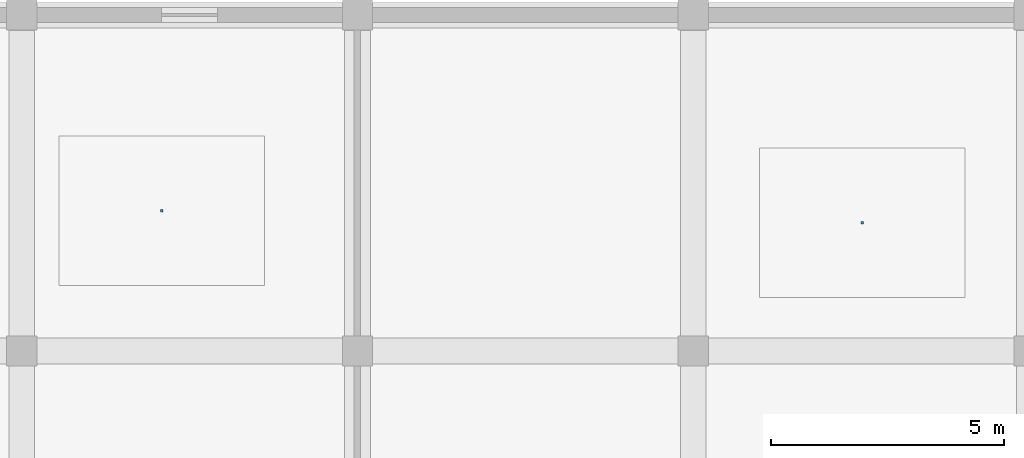
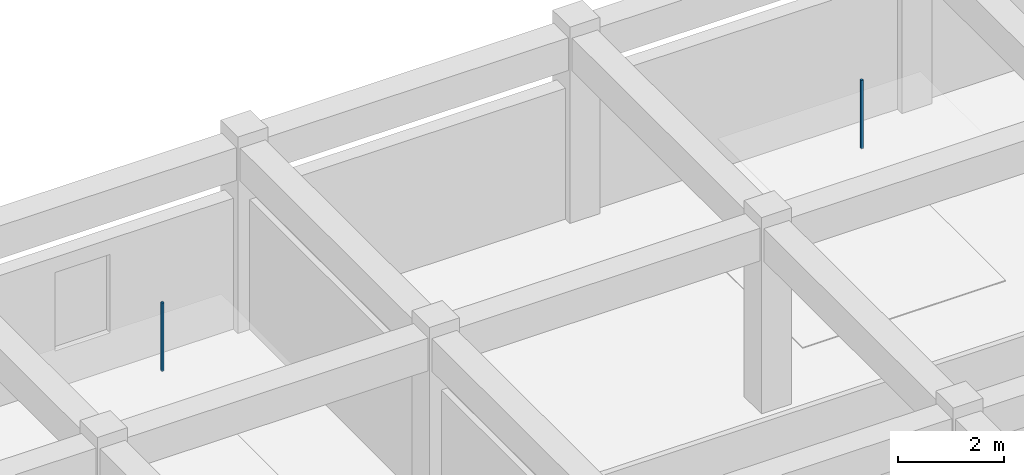
# One storey, part 48 of 56: 2 discrete accessories.
"""IFC4 building model written with IfcOpenShell, lengths in metres."""

from ifc_helpers import new_model, si_unit, direction, frame, origin, origin_2d, place, context, subcontext, project, spatial, rectangle, extrude, material, type_object, element, save


model = new_model("IFC4")

# Units and contexts
model_context = context("Model", 3, precision=1e-05, world=origin(), true_north=direction((0.0, 1.0)))
body_context = subcontext(model_context, "Body", "Model", "MODEL_VIEW")
ifc_project = project(units=[si_unit("LENGTHUNIT", "METRE"), si_unit("AREAUNIT", "SQUARE_METRE"), si_unit("VOLUMEUNIT", "CUBIC_METRE"), si_unit("PLANEANGLEUNIT", "RADIAN"), si_unit("MASSUNIT", "GRAM", prefix="KILO")], contexts=[model_context])

# Site, building, storey
site_placement = place(None, origin())
site = spatial("IfcSite", under=ifc_project, at=site_placement, CompositionType="ELEMENT")
building_placement = place(site_placement, origin())
building = spatial("IfcBuilding", under=site, at=building_placement, Name="Kazehaya Institute of Natural Sciences", CompositionType="ELEMENT")
storey_placement = place(building_placement, frame((0.0, 0.0, 28.800048828125)))
storey = spatial("IfcBuildingStorey", under=building, at=storey_placement, Name="L06", CompositionType="ELEMENT", Elevation=28.800048828125)

# Discrete accessories
ifc_material = material(Name="Structural steel SN490B", Category="steel")
discrete_accessory_type = type_object("IfcDiscreteAccessoryType", Name="ACC-CLG-HGR", PredefinedType="BRACKET", material=ifc_material)
for number, where, z_axis, x_axis, name in (
    (1, (79.203857421875, 103.40380859375, 2.8525390625), (0.0, 0.0, 1.0), (1.0, 0.0, 0.0), "L06 ceiling suspension hanger 61"),
    (2, (94.22021484375, 103.1484375, 2.8525390625), (0.0, 0.0, 1.0), (1.0, 0.0, 0.0), "L06 ceiling suspension hanger 62"),
):
    element("IfcDiscreteAccessory", number, at=place(storey_placement, frame(where, z_axis=z_axis, x_axis=x_axis)), inside=storey, type_object=discrete_accessory_type, Name=name, PredefinedType="BRACKET", context=body_context, shape_type="SweptSolid", body=[
        extrude(rectangle(XDim=0.050048828125, YDim=0.050048828125, at=origin_2d()), origin(), (0.0, 0.0, 1.0), 1.5673828125),
    ])

save(model, "model.ifc")
